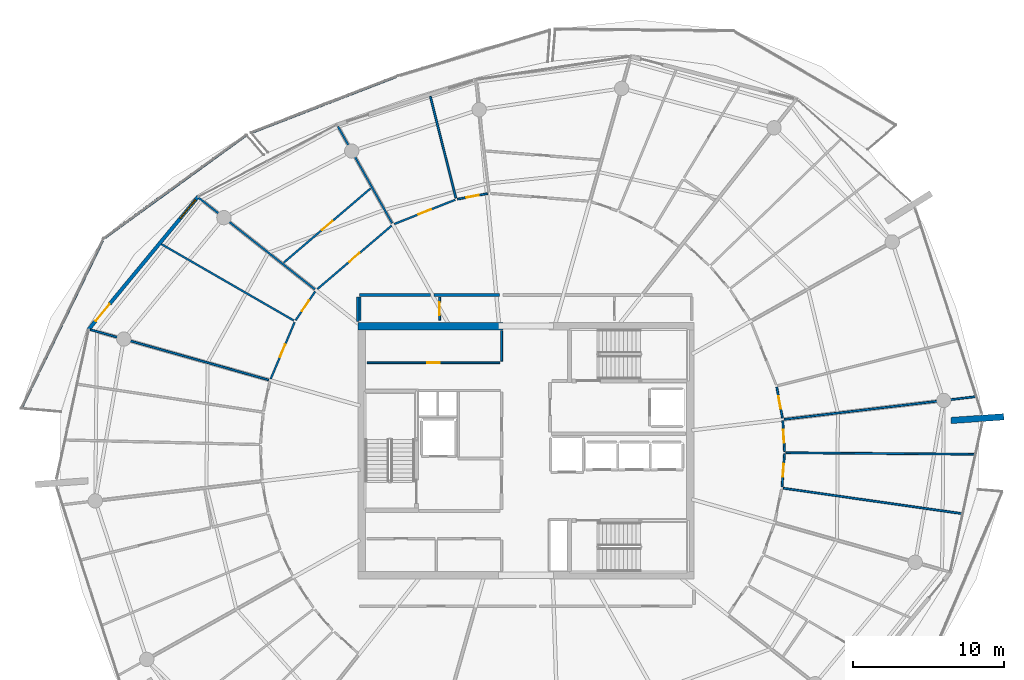
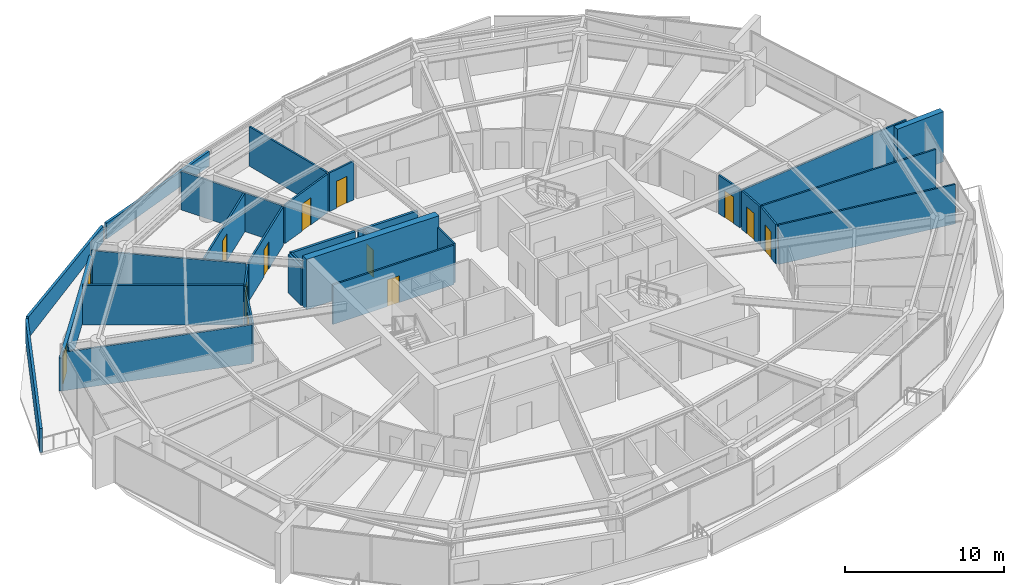
# One storey, part 21 of 30: 30 walls, 12 doors, 1 window, 13 openings.
"""IFC4 building model written with IfcOpenShell, lengths in metres."""

from ifc_helpers import new_model, si_unit, direction, frame, frame_2d, origin, place, context, subcontext, project, spatial, polyline, rectangle, outline, extrude, material, layer, layer_set, type_object, element, fill, save


model = new_model("IFC4")

# Units and contexts
model_context = context("Model", 3, precision=1e-05, world=origin(), true_north=direction((0.0, 1.0)))
body_context = subcontext(model_context, "Body", "Model", "MODEL_VIEW")
ifc_project = project(units=[si_unit("LENGTHUNIT", "METRE"), si_unit("AREAUNIT", "SQUARE_METRE"), si_unit("VOLUMEUNIT", "CUBIC_METRE"), si_unit("PLANEANGLEUNIT", "RADIAN"), si_unit("MASSUNIT", "GRAM", prefix="KILO")], contexts=[model_context])

# Site, building, storey
site_placement = place(None, origin())
site = spatial("IfcSite", under=ifc_project, at=site_placement, CompositionType="ELEMENT")
building_placement = place(site_placement, origin())
building = spatial("IfcBuilding", under=site, at=building_placement, Name="Kazma Halo Residences", CompositionType="ELEMENT")
storey_placement = place(building_placement, frame((0.0, 0.0, 290.60009765625)))
storey = spatial("IfcBuildingStorey", under=building, at=storey_placement, Name="L73", CompositionType="ELEMENT", Elevation=290.60009765625)

# Walls
ifc_material_1 = material(Name="White Concrete C50/60 Balustrade", Category="concrete")
ifc_layer_1 = layer(ifc_material_1, 0.179931640625)
ifc_layer_set_1 = layer_set([ifc_layer_1], Name="White Concrete C50/60 Balustrade")
wall_type_1 = type_object("IfcWallType", Name="WL-BAL-WAVE-180", PredefinedType="PARAPET", material=ifc_layer_set_1)
wall_1_placement = place(storey_placement, frame((39.828125, 66.762451171875, 0.0), z_axis=(0.0, 0.0, 1.0), x_axis=(-0.9326848715, -0.36069229334, 0.0)))
element("IfcWall", 1, at=wall_1_placement, inside=storey, type_object=wall_type_1, Name="L73 white wave balustrade wall NNW.2", PredefinedType="PARAPET", context=body_context, shape_type="SweptSolid", body=[
    extrude(outline(polyline([(0.0, 0.0), (10.281005859375, 0.0), (10.281005859375, 1.223876953125), (5.140380859375, 1.126953125), (0.0, 1.14794921875), (0.0, 0.0)])), frame((0.0, 0.08984375, 0.0), z_axis=(0.0, -1.0, 0.0), x_axis=(1.0, 0.0, 0.0)), (0.0, 0.0, 1.0), 0.179931640625),
])
wall_2_placement = place(storey_placement, frame((29.923583984375, 62.90478515625, 0.0), z_axis=(0.0, 0.0, 1.0), x_axis=(-0.809261043527, -0.587449200722, 0.0)))
element("IfcWall", 2, at=wall_2_placement, inside=storey, type_object=wall_type_1, Name="L73 white wave balustrade wall NW.1", PredefinedType="PARAPET", context=body_context, shape_type="SweptSolid", body=[
    extrude(outline(polyline([(0.0, 0.0), (11.576904296875, 0.0), (11.576904296875, 1.6318359375), (5.788330078125, 1.41796875), (0.0, 1.23291015625), (0.0, 0.0)])), frame((0.0, 0.08984375, 0.0), z_axis=(0.0, -1.0, 0.0), x_axis=(1.0, 0.0, 0.0)), (0.0, 0.0, 1.0), 0.179931640625),
])
wall_3_placement = place(storey_placement, frame((20.405517578125, 55.92529296875, 0.0), z_axis=(0.0, 0.0, 1.0), x_axis=(-0.435762237374, -0.900061815921, 0.0)))
element("IfcWall", 3, at=wall_3_placement, inside=storey, type_object=wall_type_1, Name="L73 white wave balustrade wall NW.2", PredefinedType="PARAPET", context=body_context, shape_type="SweptSolid", body=[
    extrude(outline(polyline([(0.0, 0.0), (12.362060546875, 0.0), (12.3623046875, 1.85986328125), (6.18115234375, 1.7978515625), (0.0, 1.6318359375), (0.0, 0.0)])), frame((0.0, 0.08984375, 0.0), z_axis=(0.0, -1.0, 0.0), x_axis=(1.0, 0.0, 0.0)), (0.0, 0.0, 1.0), 0.179931640625),
])
ifc_material_2 = material(Name="Pale Concrete C60/75", Category="concrete")
ifc_layer_2 = layer(ifc_material_2, 0.419921875)
ifc_layer_set_2 = layer_set([ifc_layer_2], Name="Pale Concrete C60/75")
wall_type_2 = type_object("IfcWallType", Name="WL-BLADE-420", PredefinedType="SOLIDWALL", material=ifc_layer_set_2)
wall_4_placement = place(storey_placement, frame((76.5625, 43.997314453125, 0.0), z_axis=(0.0, 0.0, 1.0), x_axis=(0.997563824095, 0.069759707979, 0.0)))
element("IfcWall", 4, at=wall_4_placement, inside=storey, type_object=wall_type_2, Name="L73 pale concrete structural blade fin wall BW-04", PredefinedType="SOLIDWALL", context=body_context, shape_type="SweptSolid", body=[
    extrude(rectangle(XDim=3.499755859375, YDim=0.419921875, at=frame_2d((1.75, 0.0))), origin(), (0.0, 0.0, 1.0), 3.849853515625),
])
ifc_material_3 = material(Name="Concrete C60/75", Category="concrete")
ifc_layer_3 = layer(ifc_material_3, 0.5)
ifc_layer_set_3 = layer_set([ifc_layer_3], Name="Concrete C60/75")
wall_type_3 = type_object("IfcWallType", Name="WL-CORE-500", PredefinedType="SHEAR", material=ifc_layer_set_3)
wall_5_placement = place(storey_placement, frame((37.300048828125, 50.25, 0.0), z_axis=(0.0, 0.0, 1.0), x_axis=(1.0, 0.0, 0.0)))
element("IfcWall", 5, at=wall_5_placement, inside=storey, type_object=wall_type_3, Name="L73 central core shear wall NW", PredefinedType="SHEAR", context=body_context, shape_type="SweptSolid", body=[
    extrude(rectangle(XDim=9.599853515625, YDim=0.5, at=frame_2d((4.7998046875, 0.0))), origin(), (0.0, 0.0, 1.0), 3.849853515625),
])
ifc_material_4 = material(Name="Acoustic Twin-Stud Gypsum")
ifc_layer_4 = layer(ifc_material_4, 0.179931640625)
ifc_layer_set_4 = layer_set([ifc_layer_4], Name="Acoustic Twin-Stud Gypsum")
wall_type_4 = type_object("IfcWallType", Name="WL-DEM-180", PredefinedType="PARTITIONING", material=ifc_layer_set_4)
wall_6_placement = place(storey_placement, frame((46.660888671875, 52.300048828125, 0.0), z_axis=(0.0, 0.0, 1.0), x_axis=(-1.0, 0.0, 0.0)))
element("IfcWall", 6, at=wall_6_placement, inside=storey, type_object=wall_type_4, Name="L73 Apartment 1 inner wall 3", PredefinedType="PARTITIONING", context=body_context, shape_type="SweptSolid", body=[
    extrude(rectangle(XDim=4.30908203125, YDim=0.179931640625, at=frame_2d((2.154541015625, 0.0))), origin(), (0.0, 0.0, 1.0), 2.956787109375),
])
wall_7_placement = place(storey_placement, frame((42.11181640625, 52.300048828125, 0.0), z_axis=(0.0, 0.0, 1.0), x_axis=(-1.0, 0.0, 0.0)))
element("IfcWall", 7, at=wall_7_placement, inside=storey, type_object=wall_type_4, Name="L73 Apartment 1 inner wall 4", PredefinedType="PARTITIONING", context=body_context, shape_type="SweptSolid", body=[
    extrude(rectangle(XDim=4.69189453125, YDim=0.179931640625, at=frame_2d((2.345947265625, 0.0))), origin(), (0.0, 0.0, 1.0), 2.956787109375),
])
wall_8_placement = place(storey_placement, frame((37.300048828125, 52.179931640625, 0.0), z_axis=(0.0, 0.0, 1.0), x_axis=(0.0, -1.0, 0.0)))
element("IfcWall", 8, at=wall_8_placement, inside=storey, type_object=wall_type_4, Name="L73 Apartment 1 inner wall 4", PredefinedType="PARTITIONING", context=body_context, shape_type="SweptSolid", body=[
    extrude(rectangle(XDim=1.624755859375, YDim=0.179931640625, at=frame_2d((0.8125, 0.0))), origin(), (0.0, 0.0, 1.0), 2.956787109375),
])

# Wall, openings, door, window
ifc_material_5 = material(Name="Insulated Pale-Metal Composite Wall")
ifc_layer_5 = layer(ifc_material_5, 0.239990234375)
ifc_layer_set_5 = layer_set([ifc_layer_5], Name="Insulated Pale-Metal Composite Wall")
wall_type_5 = type_object("IfcWallType", Name="WL-EXT-HOST-240", PredefinedType="SOLIDWALL", material=ifc_layer_set_5)
wall_9_placement = place(storey_placement, frame((26.7421875, 58.822021484375, 0.0), z_axis=(0.0, 0.0, 1.0), x_axis=(-0.636680093065, -0.771128043255, 0.0)))
wall_9 = element("IfcWall", 9, at=wall_9_placement, inside=storey, type_object=wall_type_5, Name="L73 exterior terrace-access wall B06", PredefinedType="SOLIDWALL", context=body_context, shape_type="SweptSolid", body=[
    extrude(rectangle(XDim=11.438232421875, YDim=0.239990234375, at=frame_2d((5.71923828125, 0.0))), origin(), (0.0, 0.0, 1.0), 2.539794921875),
])
opening_1_placement = place(wall_9_placement, frame((9.21826171875, 0.0, 0.0)))
opening_1 = element("IfcOpeningElement", 10, at=opening_1_placement, cuts=wall_9, Name="Opening DTR-1600", PredefinedType="OPENING", context=body_context, shape_type="SweptSolid", body=[
    extrude(rectangle(XDim=1.449951171875, YDim=2.14990234375, at=frame_2d((0.72509765625, 1.074951171875))), frame((0.0, 0.1298828125, 0.0), z_axis=(0.0, -1.0, 0.0), x_axis=(1.0, 0.0, 0.0)), (0.0, 0.0, 1.0), 0.260009765625),
])
opening_2_placement = place(wall_9_placement, frame((0.280029296875, 0.0, 0.64990234375)))
opening_2 = element("IfcOpeningElement", 11, at=opening_2_placement, cuts=wall_9, Name="Opening W-1800", PredefinedType="OPENING", context=body_context, shape_type="SweptSolid", body=[
    extrude(rectangle(XDim=1.60009765625, YDim=1.5, at=frame_2d((0.800048828125, 0.75))), frame((0.0, 0.1298828125, 0.0), z_axis=(0.0, -1.0, 0.0), x_axis=(1.0, 0.0, 0.0)), (0.0, 0.0, 1.0), 0.260009765625),
])
ifc_material_6 = material(Name="Aluminium AW-6063 T6 Double-Glazed Terrace Door", Category="aluminium")
door_type_1 = type_object("IfcDoorType", Name="DR-EXT-TERR-1600", OperationType="NOTDEFINED", PredefinedType="DOOR", material=ifc_material_6)
door_1_placement = place(opening_1_placement, origin())
door_1 = element("IfcDoor", 12, at=door_1_placement, inside=storey, type_object=door_type_1, Name="L73 B06 balcony terrace door", OperationType="DOUBLE_DOOR_SLIDING", OverallHeight=2.14990234375, OverallWidth=1.449951171875, PredefinedType="DOOR", context=body_context, shape_type="SweptSolid", body=[
    extrude(rectangle(XDim=1.449951171875, YDim=2.14990234375, at=frame_2d((0.72509765625, 1.074951171875))), frame((0.0, 0.02490234375, 0.0), z_axis=(0.0, -1.0, 0.0), x_axis=(1.0, 0.0, 0.0)), (0.0, 0.0, 1.0), 0.050048828125),
])
fill(opening_1, door_1)
ifc_material_7 = material(Name="Clear Triple-Silver Low-E Glass in Aluminium AW-6063 T6 Frame", Category="aluminium")
window_type = type_object("IfcWindowType", Name="WIN-RES-1800", PartitioningType="DOUBLE_PANEL_VERTICAL", PredefinedType="WINDOW", material=ifc_material_7)
window_placement = place(opening_2_placement, origin())
window = element("IfcWindow", 13, at=window_placement, inside=storey, type_object=window_type, Name="L73 B06 apartment window", OverallHeight=1.5, OverallWidth=1.60009765625, PartitioningType="SINGLE_PANEL", PredefinedType="WINDOW", context=body_context, shape_type="SweptSolid", body=[
    extrude(rectangle(XDim=1.60009765625, YDim=1.5, at=frame_2d((0.800048828125, 0.75))), frame((0.0, 0.030029296875, 0.0), z_axis=(0.0, -1.0, 0.0), x_axis=(1.0, 0.0, 0.0)), (0.0, 0.0, 1.0), 0.06005859375),
])
fill(opening_2, window)

# Wall
ifc_material_8 = material(Name="Gypsum Plasterboard Partition")
ifc_layer_6 = layer(ifc_material_8, 0.125)
ifc_layer_set_6 = layer_set([ifc_layer_6], Name="Gypsum Plasterboard Partition")
wall_type_6 = type_object("IfcWallType", Name="WL-PART-125", PredefinedType="PARTITIONING", material=ifc_layer_set_6)
wall_10_placement = place(storey_placement, frame((46.820068359375, 47.919921875, 0.0), z_axis=(0.0, 0.0, 1.0), x_axis=(0.0, 1.0, 0.0)))
element("IfcWall", 14, at=wall_10_placement, inside=storey, type_object=wall_type_6, Name="L73 reclaimed north east wall", PredefinedType="PARTITIONING", context=body_context, shape_type="SweptSolid", body=[
    extrude(rectangle(XDim=2.030029296875, YDim=0.125, at=frame_2d((1.01513671875, 0.0))), origin(), (0.0, 0.0, 1.0), 3.02978515625),
])

# Wall, opening, door
wall_11_placement = place(storey_placement, frame((37.919921875, 47.820068359375, 0.0), z_axis=(0.0, 0.0, 1.0), x_axis=(1.0, 0.0, 0.0)))
wall_11 = element("IfcWall", 15, at=wall_11_placement, inside=storey, type_object=wall_type_6, Name="L73 reclaimed north front wall", PredefinedType="PARTITIONING", context=body_context, shape_type="SweptSolid", body=[
    extrude(rectangle(XDim=8.780029296875, YDim=0.125, at=frame_2d((4.39013671875, 0.0))), origin(), (0.0, 0.0, 1.0), 3.02978515625),
])
opening_3_placement = place(wall_11_placement, frame((3.965087890625, 0.0, 0.0)))
opening_3 = element("IfcOpeningElement", 16, at=opening_3_placement, cuts=wall_11, Name="Opening DS-850", PredefinedType="OPENING", context=body_context, shape_type="SweptSolid", body=[
    extrude(rectangle(XDim=0.85009765625, YDim=2.06005859375, at=frame_2d((0.425048828125, 1.030029296875))), frame((0.0, 0.072509765625, 0.0), z_axis=(0.0, -1.0, 0.0), x_axis=(1.0, 0.0, 0.0)), (0.0, 0.0, 1.0), 0.14501953125),
])
ifc_material_9 = material(Name="Painted Steel Access Leaf", Category="steel")
door_type_2 = type_object("IfcDoorType", Name="DR-SVC-850", OperationType="NOTDEFINED", PredefinedType="DOOR", material=ifc_material_9)
door_2_placement = place(opening_3_placement, origin())
door_2 = element("IfcDoor", 17, at=door_2_placement, inside=storey, type_object=door_type_2, Name="L73 reclaimed north service door", OperationType="SINGLE_SWING_RIGHT", OverallHeight=2.06005859375, OverallWidth=0.85009765625, PredefinedType="DOOR", context=body_context, shape_type="SweptSolid", body=[
    extrude(rectangle(XDim=0.85009765625, YDim=2.06005859375, at=frame_2d((0.425048828125, 1.030029296875))), frame((0.0, 0.02490234375, 0.0), z_axis=(0.0, -1.0, 0.0), x_axis=(1.0, 0.0, 0.0)), (0.0, 0.0, 1.0), 0.050048828125),
])
fill(opening_3, door_2)

# Wall
wall_12_placement = place(storey_placement, frame((37.43994140625, 50.6201171875, 0.0), z_axis=(0.0, 0.0, 1.0), x_axis=(0.0, 1.0, 0.0)))
element("IfcWall", 18, at=wall_12_placement, inside=storey, type_object=wall_type_6, Name="L73 west linen end wall", PredefinedType="PARTITIONING", context=body_context, shape_type="SweptSolid", body=[
    extrude(rectangle(XDim=1.539794921875, YDim=0.125, at=frame_2d((0.77001953125, 0.0))), origin(), (0.0, 0.0, 1.0), 3.02978515625),
])

# Wall, opening, door
wall_13_placement = place(storey_placement, frame((42.7099609375, 50.639892578125, 0.0), z_axis=(0.0, 0.0, 1.0), x_axis=(0.0, 1.0, 0.0)))
wall_13 = element("IfcWall", 19, at=wall_13_placement, inside=storey, type_object=wall_type_6, Name="L73 floor linen store door wall", PredefinedType="PARTITIONING", context=body_context, shape_type="SweptSolid", body=[
    extrude(rectangle(XDim=1.52001953125, YDim=0.125, at=frame_2d((0.760009765625, 0.0))), origin(), (0.0, 0.0, 1.0), 2.956787109375),
])
opening_4_placement = place(wall_13_placement, frame((0.3349609375, 0.0, 0.0)))
opening_4 = element("IfcOpeningElement", 20, at=opening_4_placement, cuts=wall_13, Name="Opening DS-850", PredefinedType="OPENING", context=body_context, shape_type="SweptSolid", body=[
    extrude(rectangle(XDim=0.85009765625, YDim=2.06005859375, at=frame_2d((0.425048828125, 1.030029296875))), frame((0.0, 0.072509765625, 0.0), z_axis=(0.0, -1.0, 0.0), x_axis=(1.0, 0.0, 0.0)), (0.0, 0.0, 1.0), 0.14501953125),
])
door_3_placement = place(opening_4_placement, origin())
door_3 = element("IfcDoor", 21, at=door_3_placement, inside=storey, type_object=door_type_2, Name="L73 floor linen store door", OperationType="SINGLE_SWING_RIGHT", OverallHeight=2.06005859375, OverallWidth=0.85009765625, PredefinedType="DOOR", context=body_context, shape_type="SweptSolid", body=[
    extrude(rectangle(XDim=0.85009765625, YDim=2.06005859375, at=frame_2d((0.425048828125, 1.030029296875))), frame((0.0, 0.02490234375, 0.0), z_axis=(0.0, -1.0, 0.0), x_axis=(1.0, 0.0, 0.0)), (0.0, 0.0, 1.0), 0.050048828125),
])
fill(opening_4, door_3)

# Wall
wall_14_placement = place(storey_placement, frame((43.790771484375, 58.720458984375, 0.0), z_axis=(0.0, 0.0, 1.0), x_axis=(-0.244109618429, 0.969747644591, 0.0)))
element("IfcWall", 22, at=wall_14_placement, inside=storey, type_object=wall_type_6, Name="L73 Apartment 1 mid-bay wall 3", PredefinedType="PARTITIONING", context=body_context, shape_type="SweptSolid", body=[
    extrude(rectangle(XDim=6.932861328125, YDim=0.125, at=frame_2d((3.46630859375, 0.0))), origin(), (0.0, 0.0, 1.0), 3.02978515625),
])

# Wall, opening, door
wall_15_placement = place(storey_placement, frame((45.8857421875, 59.014892578125, 0.0), z_axis=(0.0, 0.0, 1.0), x_axis=(-0.983466734408, -0.181088879597, 0.0)))
wall_15 = element("IfcWall", 23, at=wall_15_placement, inside=storey, type_object=wall_type_6, Name="L73 Apartment 1 East Wine Pantry Store hall wall", PredefinedType="PARTITIONING", context=body_context, shape_type="SweptSolid", body=[
    extrude(rectangle(XDim=2.027587890625, YDim=0.125, at=frame_2d((1.013671875, 0.0))), origin(), (0.0, 0.0, 1.0), 2.956787109375),
])
opening_5_placement = place(wall_15_placement, frame((0.5888671875, 0.0, 0.0)))
opening_5 = element("IfcOpeningElement", 24, at=opening_5_placement, cuts=wall_15, Name="Opening DB-900", PredefinedType="OPENING", context=body_context, shape_type="SweptSolid", body=[
    extrude(rectangle(XDim=0.85009765625, YDim=2.06005859375, at=frame_2d((0.425048828125, 1.030029296875))), frame((0.0, 0.072509765625, 0.0), z_axis=(0.0, -1.0, 0.0), x_axis=(1.0, 0.0, 0.0)), (0.0, 0.0, 1.0), 0.14501953125),
])
ifc_material_10 = material(Name="Moisture-Sealed Timber Leaf", Category="wood")
door_type_3 = type_object("IfcDoorType", Name="DR-BTH-900", OperationType="NOTDEFINED", PredefinedType="DOOR", material=ifc_material_10)
door_4_placement = place(opening_5_placement, origin())
door_4 = element("IfcDoor", 25, at=door_4_placement, inside=storey, type_object=door_type_3, Name="L73 Apartment 1 East Wine Pantry Store door", OperationType="SINGLE_SWING_LEFT", OverallHeight=2.06005859375, OverallWidth=0.85009765625, PredefinedType="DOOR", context=body_context, shape_type="SweptSolid", body=[
    extrude(rectangle(XDim=0.85009765625, YDim=2.06005859375, at=frame_2d((0.425048828125, 1.030029296875))), frame((0.0, 0.02490234375, 0.0), z_axis=(0.0, -1.0, 0.0), x_axis=(1.0, 0.0, 0.0)), (0.0, 0.0, 1.0), 0.050048828125),
])
fill(opening_5, door_4)

wall_16_placement = place(storey_placement, frame((43.738525390625, 58.603515625, 0.0), z_axis=(0.0, 0.0, 1.0), x_axis=(-0.929209277864, -0.369553944549, 0.0)))
wall_16 = element("IfcWall", 26, at=wall_16_placement, inside=storey, type_object=wall_type_6, Name="L73 Apartment 1 West Formal Dining Room hall wall", PredefinedType="PARTITIONING", context=body_context, shape_type="SweptSolid", body=[
    extrude(rectangle(XDim=4.3330078125, YDim=0.125, at=frame_2d((2.16650390625, 0.0))), origin(), (0.0, 0.0, 1.0), 2.956787109375),
])
opening_6_placement = place(wall_16_placement, frame((1.716552734375, 0.0, 0.0)))
opening_6 = element("IfcOpeningElement", 27, at=opening_6_placement, cuts=wall_16, Name="Opening DI-950", PredefinedType="OPENING", context=body_context, shape_type="SweptSolid", body=[
    extrude(rectangle(XDim=0.89990234375, YDim=2.080078125, at=frame_2d((0.449951171875, 1.0400390625))), frame((0.0, 0.072509765625, 0.0), z_axis=(0.0, -1.0, 0.0), x_axis=(1.0, 0.0, 0.0)), (0.0, 0.0, 1.0), 0.14501953125),
])
ifc_material_11 = material(Name="Timber Veneer Flush Leaf", Category="wood")
door_type_4 = type_object("IfcDoorType", Name="DR-INT-950", OperationType="NOTDEFINED", PredefinedType="DOOR", material=ifc_material_11)
door_5_placement = place(opening_6_placement, origin())
door_5 = element("IfcDoor", 28, at=door_5_placement, inside=storey, type_object=door_type_4, Name="L73 Apartment 1 West Formal Dining Room door", OperationType="SINGLE_SWING_RIGHT", OverallHeight=2.080078125, OverallWidth=0.89990234375, PredefinedType="DOOR", context=body_context, shape_type="SweptSolid", body=[
    extrude(rectangle(XDim=0.89990234375, YDim=2.080078125, at=frame_2d((0.449951171875, 1.0400390625))), frame((0.0, 0.02490234375, 0.0), z_axis=(0.0, -1.0, 0.0), x_axis=(1.0, 0.0, 0.0)), (0.0, 0.0, 1.0), 0.050048828125),
])
fill(opening_6, door_5)

# Wall
wall_17_placement = place(storey_placement, frame((39.5703125, 57.05224609375, 0.0), z_axis=(0.0, 0.0, 1.0), x_axis=(-0.488629692651, 0.872491274146, 0.0)))
element("IfcWall", 29, at=wall_17_placement, inside=storey, type_object=wall_type_6, Name="L73 Apartment 1 radial partition 4", PredefinedType="PARTITIONING", context=body_context, shape_type="SweptSolid", body=[
    extrude(rectangle(XDim=7.3427734375, YDim=0.125, at=frame_2d((3.67138671875, 0.0))), origin(), (0.0, 0.0, 1.0), 2.956787109375),
])

# Wall, opening, door
wall_18_placement = place(storey_placement, frame((39.53564453125, 56.893798828125, 0.0), z_axis=(0.0, 0.0, 1.0), x_axis=(-0.760410931944, -0.649442233443, 0.0)))
wall_18 = element("IfcWall", 30, at=wall_18_placement, inside=storey, type_object=wall_type_6, Name="L73 Apartment 1 North Study hall wall", PredefinedType="PARTITIONING", context=body_context, shape_type="SweptSolid", body=[
    extrude(rectangle(XDim=6.47265625, YDim=0.125, at=frame_2d((3.236328125, 0.0))), origin(), (0.0, 0.0, 1.0), 2.956787109375),
])
opening_7_placement = place(wall_18_placement, frame((2.786376953125, 0.0, 0.0)))
opening_7 = element("IfcOpeningElement", 31, at=opening_7_placement, cuts=wall_18, Name="Opening DI-950", PredefinedType="OPENING", context=body_context, shape_type="SweptSolid", body=[
    extrude(rectangle(XDim=0.89990234375, YDim=2.080078125, at=frame_2d((0.449951171875, 1.0400390625))), frame((0.0, 0.072509765625, 0.0), z_axis=(0.0, -1.0, 0.0), x_axis=(1.0, 0.0, 0.0)), (0.0, 0.0, 1.0), 0.14501953125),
])
door_6_placement = place(opening_7_placement, origin())
door_6 = element("IfcDoor", 32, at=door_6_placement, inside=storey, type_object=door_type_4, Name="L73 Apartment 1 North Study door", OperationType="SINGLE_SWING_RIGHT", OverallHeight=2.080078125, OverallWidth=0.89990234375, PredefinedType="DOOR", context=body_context, shape_type="SweptSolid", body=[
    extrude(rectangle(XDim=0.89990234375, YDim=2.080078125, at=frame_2d((0.449951171875, 1.0400390625))), frame((0.0, 0.02490234375, 0.0), z_axis=(0.0, -1.0, 0.0), x_axis=(1.0, 0.0, 0.0)), (0.0, 0.0, 1.0), 0.050048828125),
])
fill(opening_7, door_6)

wall_19_placement = place(storey_placement, frame((38.1513671875, 59.365478515625, 0.0), z_axis=(0.0, 0.0, 1.0), x_axis=(-0.760419750343, -0.649431908123, 0.0)))
wall_19 = element("IfcWall", 33, at=wall_19_placement, inside=storey, type_object=wall_type_6, Name="L73 Apartment 1 South Master Bedroom divider wall", PredefinedType="PARTITIONING", context=body_context, shape_type="SweptSolid", body=[
    extrude(rectangle(XDim=7.577880859375, YDim=0.125, at=frame_2d((3.7890625, 0.0))), origin(), (0.0, 0.0, 1.0), 2.956787109375),
])
opening_8_placement = place(wall_19_placement, frame((3.3388671875, 0.0, 0.0)))
opening_8 = element("IfcOpeningElement", 34, at=opening_8_placement, cuts=wall_19, Name="Opening DI-950", PredefinedType="OPENING", context=body_context, shape_type="SweptSolid", body=[
    extrude(rectangle(XDim=0.89990234375, YDim=2.080078125, at=frame_2d((0.449951171875, 1.0400390625))), frame((0.0, 0.072509765625, 0.0), z_axis=(0.0, -1.0, 0.0), x_axis=(1.0, 0.0, 0.0)), (0.0, 0.0, 1.0), 0.14501953125),
])
door_7_placement = place(opening_8_placement, origin())
door_7 = element("IfcDoor", 35, at=door_7_placement, inside=storey, type_object=door_type_4, Name="L73 Apartment 1 South Master Bedroom door", OperationType="SINGLE_SWING_LEFT", OverallHeight=2.080078125, OverallWidth=0.89990234375, PredefinedType="DOOR", context=body_context, shape_type="SweptSolid", body=[
    extrude(rectangle(XDim=0.89990234375, YDim=2.080078125, at=frame_2d((0.449951171875, 1.0400390625))), frame((0.0, 0.02490234375, 0.0), z_axis=(0.0, -1.0, 0.0), x_axis=(1.0, 0.0, 0.0)), (0.0, 0.0, 1.0), 0.050048828125),
])
fill(opening_8, door_7)

# Walls
wall_20_placement = place(storey_placement, frame((34.45166015625, 52.6806640625, 0.0), z_axis=(0.0, 0.0, 1.0), x_axis=(-0.785323024206, 0.619086219885, 0.0)))
element("IfcWall", 36, at=wall_20_placement, inside=storey, type_object=wall_type_6, Name="L73 Apartment 1 radial partition 5", PredefinedType="PARTITIONING", context=body_context, shape_type="SweptSolid", body=[
    extrude(rectangle(XDim=9.83251953125, YDim=0.125, at=frame_2d((4.916259765625, 0.0))), origin(), (0.0, 0.0, 1.0), 2.956787109375),
])
wall_21_placement = place(storey_placement, frame((33.0634765625, 50.61328125, 0.0), z_axis=(0.0, 0.0, 1.0), x_axis=(-0.866292819656, 0.499536535814, 0.0)))
element("IfcWall", 37, at=wall_21_placement, inside=storey, type_object=wall_type_6, Name="L73 Apartment 1 mid-bay wall 5", PredefinedType="PARTITIONING", context=body_context, shape_type="SweptSolid", body=[
    extrude(rectangle(XDim=10.1181640625, YDim=0.125, at=frame_2d((5.05908203125, 0.0))), origin(), (0.0, 0.0, 1.0), 3.02978515625),
])

# Wall, opening, door
wall_22_placement = place(storey_placement, frame((34.47412109375, 52.535888671875, 0.0), z_axis=(0.0, 0.0, 1.0), x_axis=(-0.560794078194, -0.827955313929, 0.0)))
wall_22 = element("IfcWall", 38, at=wall_22_placement, inside=storey, type_object=wall_type_6, Name="L73 Apartment 1 Inner Wine Pantry Store hall wall", PredefinedType="PARTITIONING", context=body_context, shape_type="SweptSolid", body=[
    extrude(rectangle(XDim=2.29638671875, YDim=0.125, at=frame_2d((1.148193359375, 0.0))), origin(), (0.0, 0.0, 1.0), 2.956787109375),
])
opening_9_placement = place(wall_22_placement, frame((0.723388671875, 0.0, 0.0)))
opening_9 = element("IfcOpeningElement", 39, at=opening_9_placement, cuts=wall_22, Name="Opening DB-900", PredefinedType="OPENING", context=body_context, shape_type="SweptSolid", body=[
    extrude(rectangle(XDim=0.85009765625, YDim=2.06005859375, at=frame_2d((0.425048828125, 1.030029296875))), frame((0.0, 0.072509765625, 0.0), z_axis=(0.0, -1.0, 0.0), x_axis=(1.0, 0.0, 0.0)), (0.0, 0.0, 1.0), 0.14501953125),
])
door_8_placement = place(opening_9_placement, origin())
door_8 = element("IfcDoor", 40, at=door_8_placement, inside=storey, type_object=door_type_3, Name="L73 Apartment 1 Inner Wine Pantry Store door", OperationType="SINGLE_SWING_LEFT", OverallHeight=2.06005859375, OverallWidth=0.85009765625, PredefinedType="DOOR", context=body_context, shape_type="SweptSolid", body=[
    extrude(rectangle(XDim=0.85009765625, YDim=2.06005859375, at=frame_2d((0.425048828125, 1.030029296875))), frame((0.0, 0.02490234375, 0.0), z_axis=(0.0, -1.0, 0.0), x_axis=(1.0, 0.0, 0.0)), (0.0, 0.0, 1.0), 0.050048828125),
])
fill(opening_9, door_8)

wall_23_placement = place(storey_placement, frame((33.1103515625, 50.494384765625, 0.0), z_axis=(0.0, 0.0, 1.0), x_axis=(-0.388491824698, -0.921452170296, 0.0)))
wall_23 = element("IfcWall", 41, at=wall_23_placement, inside=storey, type_object=wall_type_6, Name="L73 Apartment 1 Outer Formal Dining Room hall wall", PredefinedType="PARTITIONING", context=body_context, shape_type="SweptSolid", body=[
    extrude(rectangle(XDim=4.06591796875, YDim=0.125, at=frame_2d((2.032958984375, 0.0))), origin(), (0.0, 0.0, 1.0), 2.956787109375),
])
opening_10_placement = place(wall_23_placement, frame((1.5830078125, 0.0, 0.0)))
opening_10 = element("IfcOpeningElement", 42, at=opening_10_placement, cuts=wall_23, Name="Opening DI-950", PredefinedType="OPENING", context=body_context, shape_type="SweptSolid", body=[
    extrude(rectangle(XDim=0.89990234375, YDim=2.080078125, at=frame_2d((0.449951171875, 1.0400390625))), frame((0.0, 0.072509765625, 0.0), z_axis=(0.0, -1.0, 0.0), x_axis=(1.0, 0.0, 0.0)), (0.0, 0.0, 1.0), 0.14501953125),
])
door_9_placement = place(opening_10_placement, origin())
door_9 = element("IfcDoor", 43, at=door_9_placement, inside=storey, type_object=door_type_4, Name="L73 Apartment 1 Outer Formal Dining Room door", OperationType="SINGLE_SWING_RIGHT", OverallHeight=2.080078125, OverallWidth=0.89990234375, PredefinedType="DOOR", context=body_context, shape_type="SweptSolid", body=[
    extrude(rectangle(XDim=0.89990234375, YDim=2.080078125, at=frame_2d((0.449951171875, 1.0400390625))), frame((0.0, 0.02490234375, 0.0), z_axis=(0.0, -1.0, 0.0), x_axis=(1.0, 0.0, 0.0)), (0.0, 0.0, 1.0), 0.050048828125),
])
fill(opening_10, door_9)

# Walls
wall_24_placement = place(storey_placement, frame((31.395751953125, 46.682861328125, 0.0), z_axis=(0.0, 0.0, 1.0), x_axis=(-0.962453683352, 0.271445956688, 0.0)))
element("IfcWall", 44, at=wall_24_placement, inside=storey, type_object=wall_type_6, Name="L73 Apartment 1 radial partition 6", PredefinedType="PARTITIONING", context=body_context, shape_type="SweptSolid", body=[
    extrude(rectangle(XDim=12.24365234375, YDim=0.125, at=frame_2d((6.121826171875, 0.0))), origin(), (0.0, 0.0, 1.0), 2.956787109375),
])
wall_25_placement = place(storey_placement, frame((65.460205078125, 39.514892578125, 0.0), z_axis=(0.0, 0.0, 1.0), x_axis=(0.990024400928, -0.140896009764, 0.0)))
element("IfcWall", 45, at=wall_25_placement, inside=storey, type_object=wall_type_6, Name="L73 Apartment 2 bay wall 1 14", PredefinedType="PARTITIONING", context=body_context, shape_type="SweptSolid", body=[
    extrude(rectangle(XDim=11.9716796875, YDim=0.125, at=frame_2d((5.98583984375, 0.0))), origin(), (0.0, 0.0, 1.0), 3.02978515625),
])
wall_26_placement = place(storey_placement, frame((65.635498046875, 41.861572265625, 0.0), z_axis=(0.0, 0.0, 1.0), x_axis=(0.999969129377, -0.007857499155, 0.0)))
element("IfcWall", 46, at=wall_26_placement, inside=storey, type_object=wall_type_6, Name="L73 Apartment 2 bay wall 2 14", PredefinedType="PARTITIONING", context=body_context, shape_type="SweptSolid", body=[
    extrude(rectangle(XDim=12.521728515625, YDim=0.125, at=frame_2d((6.2607421875, 0.0))), origin(), (0.0, 0.0, 1.0), 3.02978515625),
])

# Wall, opening, door
wall_27_placement = place(storey_placement, frame((65.376953125, 39.607421875, 0.0), z_axis=(0.0, 0.0, 1.0), x_axis=(0.074547851994, 0.997217437555, 0.0)))
wall_27 = element("IfcWall", 47, at=wall_27_placement, inside=storey, type_object=wall_type_6, Name="L73 Apartment 2 Gulf Dressing Wardrobe hall wall", PredefinedType="PARTITIONING", context=body_context, shape_type="SweptSolid", body=[
    extrude(rectangle(XDim=2.18115234375, YDim=0.125, at=frame_2d((1.090576171875, 0.0))), origin(), (0.0, 0.0, 1.0), 3.02978515625),
])
opening_11_placement = place(wall_27_placement, frame((0.66552734375, 0.0, 0.0)))
opening_11 = element("IfcOpeningElement", 48, at=opening_11_placement, cuts=wall_27, Name="Opening DB-900", PredefinedType="OPENING", context=body_context, shape_type="SweptSolid", body=[
    extrude(rectangle(XDim=0.85009765625, YDim=2.06005859375, at=frame_2d((0.425048828125, 1.030029296875))), frame((0.0, 0.072509765625, 0.0), z_axis=(0.0, -1.0, 0.0), x_axis=(1.0, 0.0, 0.0)), (0.0, 0.0, 1.0), 0.14501953125),
])
door_10_placement = place(opening_11_placement, origin())
door_10 = element("IfcDoor", 49, at=door_10_placement, inside=storey, type_object=door_type_3, Name="L73 Apartment 2 Gulf Dressing Wardrobe door", OperationType="SINGLE_SWING_RIGHT", OverallHeight=2.06005859375, OverallWidth=0.85009765625, PredefinedType="DOOR", context=body_context, shape_type="SweptSolid", body=[
    extrude(rectangle(XDim=0.85009765625, YDim=2.06005859375, at=frame_2d((0.425048828125, 1.030029296875))), frame((0.0, 0.02490234375, 0.0), z_axis=(0.0, -1.0, 0.0), x_axis=(1.0, 0.0, 0.0)), (0.0, 0.0, 1.0), 0.050048828125),
])
fill(opening_11, door_10)

wall_28_placement = place(storey_placement, frame((65.541015625, 41.942138671875, 0.0), z_axis=(0.0, 0.0, 1.0), x_axis=(-0.054960479128, 0.998488530597, 0.0)))
wall_28 = element("IfcWall", 50, at=wall_28_placement, inside=storey, type_object=wall_type_6, Name="L73 Apartment 2 Primary Master Bedroom hall wall", PredefinedType="PARTITIONING", context=body_context, shape_type="SweptSolid", body=[
    extrude(rectangle(XDim=2.04345703125, YDim=0.125, at=frame_2d((1.021728515625, 0.0))), origin(), (0.0, 0.0, 1.0), 2.956787109375),
])
opening_12_placement = place(wall_28_placement, frame((0.5966796875, 0.0, 0.0)))
opening_12 = element("IfcOpeningElement", 51, at=opening_12_placement, cuts=wall_28, Name="Opening DB-900", PredefinedType="OPENING", context=body_context, shape_type="SweptSolid", body=[
    extrude(rectangle(XDim=0.85009765625, YDim=2.06005859375, at=frame_2d((0.425048828125, 1.030029296875))), frame((0.0, 0.072509765625, 0.0), z_axis=(0.0, -1.0, 0.0), x_axis=(1.0, 0.0, 0.0)), (0.0, 0.0, 1.0), 0.14501953125),
])
door_11_placement = place(opening_12_placement, origin())
door_11 = element("IfcDoor", 52, at=door_11_placement, inside=storey, type_object=door_type_3, Name="L73 Apartment 2 Primary Master Bedroom door", OperationType="SINGLE_SWING_LEFT", OverallHeight=2.06005859375, OverallWidth=0.85009765625, PredefinedType="DOOR", context=body_context, shape_type="SweptSolid", body=[
    extrude(rectangle(XDim=0.85009765625, YDim=2.06005859375, at=frame_2d((0.425048828125, 1.030029296875))), frame((0.0, 0.02490234375, 0.0), z_axis=(0.0, -1.0, 0.0), x_axis=(1.0, 0.0, 0.0)), (0.0, 0.0, 1.0), 0.050048828125),
])
fill(opening_12, door_11)

# Wall
wall_29_placement = place(storey_placement, frame((65.523681640625, 44.07421875, 0.0), z_axis=(0.0, 0.0, 1.0), x_axis=(0.993069543008, 0.117528221075, 0.0)))
element("IfcWall", 53, at=wall_29_placement, inside=storey, type_object=wall_type_6, Name="L73 Apartment 2 radial partition 15", PredefinedType="PARTITIONING", context=body_context, shape_type="SweptSolid", body=[
    extrude(rectangle(XDim=12.78369140625, YDim=0.125, at=frame_2d((6.391845703125, 0.0))), origin(), (0.0, 0.0, 1.0), 2.956787109375),
])

# Wall, opening, door
wall_30_placement = place(storey_placement, frame((65.40625, 44.16064453125, 0.0), z_axis=(0.0, 0.0, 1.0), x_axis=(-0.181252122481, 0.983436661965, 0.0)))
wall_30 = element("IfcWall", 54, at=wall_30_placement, inside=storey, type_object=wall_type_6, Name="L73 Apartment 2 Secondary Wine Pantry Store hall wall", PredefinedType="PARTITIONING", context=body_context, shape_type="SweptSolid", body=[
    extrude(rectangle(XDim=2.078369140625, YDim=0.125, at=frame_2d((1.0390625, 0.0))), origin(), (0.0, 0.0, 1.0), 2.956787109375),
])
opening_13_placement = place(wall_30_placement, frame((0.6142578125, 0.0, 0.0)))
opening_13 = element("IfcOpeningElement", 55, at=opening_13_placement, cuts=wall_30, Name="Opening DB-900", PredefinedType="OPENING", context=body_context, shape_type="SweptSolid", body=[
    extrude(rectangle(XDim=0.85009765625, YDim=2.06005859375, at=frame_2d((0.425048828125, 1.030029296875))), frame((0.0, 0.072509765625, 0.0), z_axis=(0.0, -1.0, 0.0), x_axis=(1.0, 0.0, 0.0)), (0.0, 0.0, 1.0), 0.14501953125),
])
door_12_placement = place(opening_13_placement, origin())
door_12 = element("IfcDoor", 56, at=door_12_placement, inside=storey, type_object=door_type_3, Name="L73 Apartment 2 Secondary Wine Pantry Store door", OperationType="SINGLE_SWING_LEFT", OverallHeight=2.06005859375, OverallWidth=0.85009765625, PredefinedType="DOOR", context=body_context, shape_type="SweptSolid", body=[
    extrude(rectangle(XDim=0.85009765625, YDim=2.06005859375, at=frame_2d((0.425048828125, 1.030029296875))), frame((0.0, 0.02490234375, 0.0), z_axis=(0.0, -1.0, 0.0), x_axis=(1.0, 0.0, 0.0)), (0.0, 0.0, 1.0), 0.050048828125),
])
fill(opening_13, door_12)

save(model, "model.ifc")
